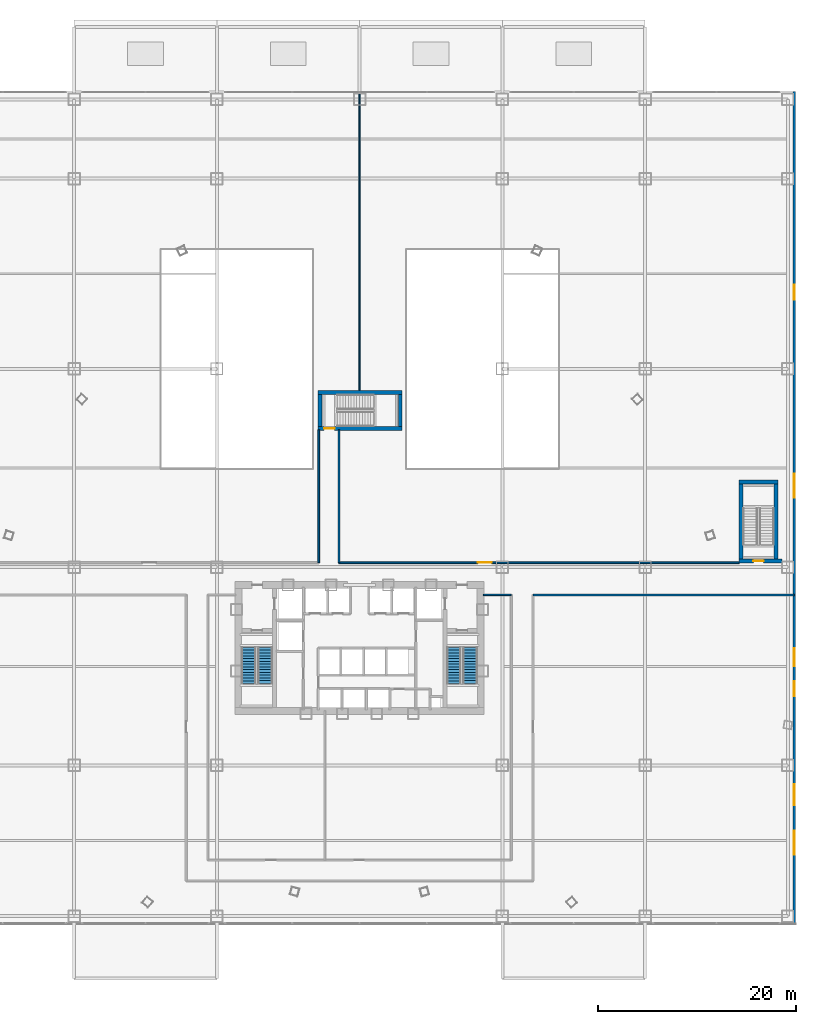
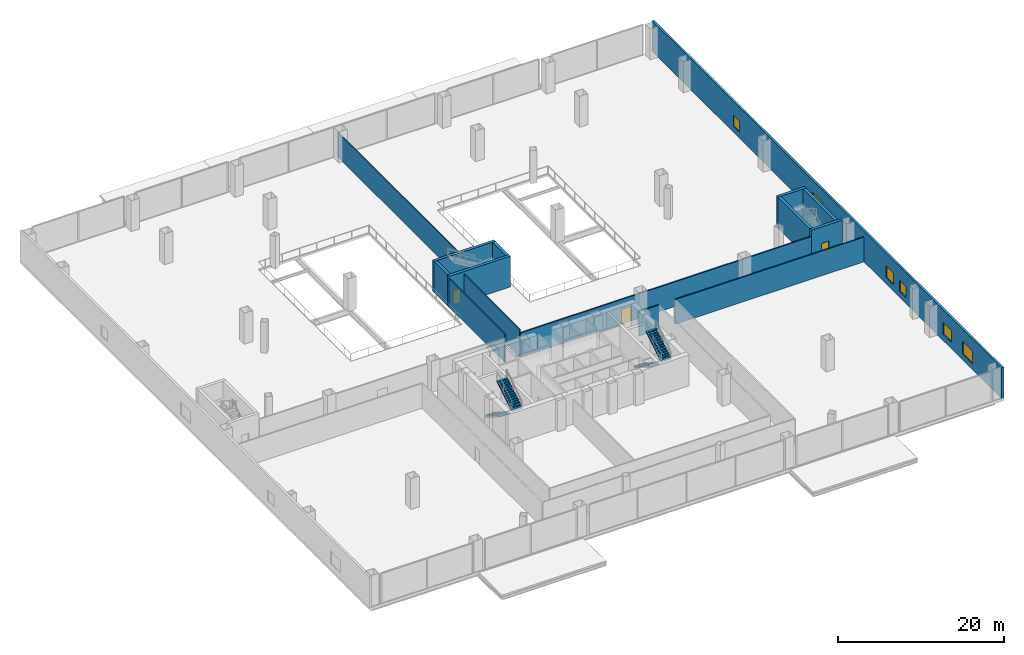
# One storey, part 35 of 42: 15 walls, 6 windows, 4 stair flights, 3 doors, 9 openings, 2 elements without a shape of their own.
"""IFC4 building model written with IfcOpenShell, lengths in metres."""

from ifc_helpers import new_model, si_unit, direction, frame, frame_2d, origin, origin_with_axes, place, context, subcontext, project, spatial, polyline, rectangle, outline, extrude, source, transform, mapped, material, layer, layer_set, type_object, element, fill, aggregate, save


model = new_model("IFC4")

# Units and contexts
model_context = context("Model", 3, precision=1e-05, world=origin(), true_north=direction((0.0, 1.0)))
body_context = subcontext(model_context, "Body", "Model", "MODEL_VIEW")
ifc_project = project(units=[si_unit("LENGTHUNIT", "METRE"), si_unit("AREAUNIT", "SQUARE_METRE"), si_unit("VOLUMEUNIT", "CUBIC_METRE"), si_unit("PLANEANGLEUNIT", "RADIAN"), si_unit("MASSUNIT", "GRAM", prefix="KILO"), si_unit("THERMODYNAMICTEMPERATUREUNIT", "KELVIN"), si_unit("POWERUNIT", "WATT")], contexts=[model_context])

# Site, building, storey
site_placement = place(None, origin())
site = spatial("IfcSite", under=ifc_project, at=site_placement, CompositionType="ELEMENT")
building_placement = place(site_placement, origin())
building = spatial("IfcBuilding", under=site, at=building_placement, Name="Yunzhuo Pagoda Commons", CompositionType="ELEMENT")
storey_placement = place(building_placement, frame((0.0, 0.0, 4.800048828125)))
storey = spatial("IfcBuildingStorey", under=building, at=storey_placement, Name="L02", CompositionType="ELEMENT", Elevation=4.800048828125)

# Walls
ifc_material_1 = material(Name="Gypsum plasterboard on acoustic stud")
ifc_layer_1 = layer(ifc_material_1, 0.159912109375)
ifc_layer_set_1 = layer_set([ifc_layer_1], Name="Gypsum plasterboard on acoustic stud")
wall_type_1 = type_object("IfcWallType", Name="W-COR1 Tower Rated Corridor Wall 160", PredefinedType="PARTITIONING", material=ifc_layer_set_1)
for number, where, z_axis, x_axis, name in (
    (1, (43.8798828125, 42.449951171875, 0.0), (0.0, 0.0, 1.0), (0.0, 1.0, 0.0), "L02 interior wall IW-L02-SPNW"),
    (2, (45.919921875, 42.449951171875, 0.0), (0.0, 0.0, 1.0), (0.0, 1.0, 0.0), "L02 interior wall IW-L02-SPNE"),
):
    element("IfcWall", number, at=place(storey_placement, frame(where, z_axis=z_axis, x_axis=x_axis)), inside=storey, type_object=wall_type_1, Name=name, PredefinedType="PARTITIONING", context=body_context, shape_type="SweptSolid", body=[
        extrude(rectangle(XDim=13.400146484375, YDim=0.159912109375, at=frame_2d((6.7001953125, 0.0))), origin(), (0.0, 0.0, 1.0), 4.119873046875),
    ])
wall_1_placement = place(storey_placement, frame((60.5, 39.199951171875, 0.0), z_axis=(0.0, 0.0, 1.0), x_axis=(1.0, 0.0, 0.0)))
element("IfcWall", 3, at=wall_1_placement, inside=storey, type_object=wall_type_1, Name="L02 interior wall IW-L02-PSMNE", PredefinedType="PARTITIONING", context=body_context, shape_type="SweptSolid", body=[
    extrude(rectangle(XDim=2.800048828125, YDim=0.159912109375, at=frame_2d((1.39990234375, 0.0))), origin(), (0.0, 0.0, 1.0), 3.619873046875),
])

# Wall, openings, windows
ifc_material_2 = material(Name="Precast concrete C40", Category="concrete")
ifc_layer_2 = layer(ifc_material_2, 0.300048828125)
ifc_layer_set_2 = layer_set([ifc_layer_2], Name="Precast concrete C40")
wall_type_2 = type_object("IfcWallType", Name="W-EXT1 Podium Precast Spandrel Wall 300", PredefinedType="STANDARD", material=ifc_layer_set_2)
wall_2_placement = place(storey_placement, frame((91.85009765625, 6.0, 0.0), z_axis=(0.0, 0.0, 1.0), x_axis=(0.0, 1.0, 0.0)))
wall_2 = element("IfcWall", 4, at=wall_2_placement, inside=storey, type_object=wall_type_2, Name="L02 E precast spandrel wall", PredefinedType="STANDARD", context=body_context, shape_type="SweptSolid", body=[
    extrude(rectangle(XDim=84.0, YDim=0.300048828125, at=frame_2d((42.0, 0.0))), origin(), (0.0, 0.0, 1.0), 4.52001953125),
])
opening_1_placement = place(wall_2_placement, frame((7.0, 0.0, 0.89990234375)))
opening_1 = element("IfcOpeningElement", 5, at=opening_1_placement, cuts=wall_2, Name="Opening W-01", PredefinedType="OPENING", context=body_context, shape_type="SweptSolid", body=[
    extrude(rectangle(XDim=2.39990234375, YDim=1.800048828125, at=frame_2d((1.199951171875, 0.89990234375))), frame((0.0, 0.16015625, 0.0), z_axis=(0.0, -1.0, 0.0), x_axis=(1.0, 0.0, 0.0)), (0.0, 0.0, 1.0), 0.320068359375),
])
opening_2_placement = place(wall_2_placement, frame((23.0, 0.0, 0.89990234375)))
opening_2 = element("IfcOpeningElement", 6, at=opening_2_placement, cuts=wall_2, Name="Opening W-02", PredefinedType="OPENING", context=body_context, shape_type="SweptSolid", body=[
    extrude(rectangle(XDim=1.5, YDim=1.60009765625, at=frame_2d((0.75, 0.800048828125))), frame((0.0, 0.16015625, 0.0), z_axis=(0.0, -1.0, 0.0), x_axis=(1.0, 0.0, 0.0)), (0.0, 0.0, 1.0), 0.320068359375),
])
opening_3_placement = place(wall_2_placement, frame((43.0, 0.0, 0.89990234375)))
opening_3 = element("IfcOpeningElement", 7, at=opening_3_placement, cuts=wall_2, Name="Opening W-01", PredefinedType="OPENING", context=body_context, shape_type="SweptSolid", body=[
    extrude(rectangle(XDim=2.39990234375, YDim=1.800048828125, at=frame_2d((1.199951171875, 0.89990234375))), frame((0.0, 0.16015625, 0.0), z_axis=(0.0, -1.0, 0.0), x_axis=(1.0, 0.0, 0.0)), (0.0, 0.0, 1.0), 0.320068359375),
])
opening_4_placement = place(wall_2_placement, frame((63.0, 0.0, 0.89990234375)))
opening_4 = element("IfcOpeningElement", 8, at=opening_4_placement, cuts=wall_2, Name="Opening W-02", PredefinedType="OPENING", context=body_context, shape_type="SweptSolid", body=[
    extrude(rectangle(XDim=1.5, YDim=1.60009765625, at=frame_2d((0.75, 0.800048828125))), frame((0.0, 0.16015625, 0.0), z_axis=(0.0, -1.0, 0.0), x_axis=(1.0, 0.0, 0.0)), (0.0, 0.0, 1.0), 0.320068359375),
])
opening_5_placement = place(wall_2_placement, frame((12.0, 0.0, 0.949951171875)))
opening_5 = element("IfcOpeningElement", 9, at=opening_5_placement, cuts=wall_2, Name="Opening W-03", PredefinedType="OPENING", context=body_context, shape_type="SweptSolid", body=[
    extrude(rectangle(XDim=2.10009765625, YDim=1.75, at=frame_2d((1.050048828125, 0.875))), frame((0.0, 0.16015625, 0.0), z_axis=(0.0, -1.0, 0.0), x_axis=(1.0, 0.0, 0.0)), (0.0, 0.0, 1.0), 0.320068359375),
])
opening_6_placement = place(wall_2_placement, frame((26.0, 0.0, 0.949951171875)))
opening_6 = element("IfcOpeningElement", 10, at=opening_6_placement, cuts=wall_2, Name="Opening W-04", PredefinedType="OPENING", context=body_context, shape_type="SweptSolid", body=[
    extrude(rectangle(XDim=1.800048828125, YDim=1.699951171875, at=frame_2d((0.89990234375, 0.85009765625))), frame((0.0, 0.16015625, 0.0), z_axis=(0.0, -1.0, 0.0), x_axis=(1.0, 0.0, 0.0)), (0.0, 0.0, 1.0), 0.320068359375),
])
ifc_material_3 = material(Name="Tempered low-e double glazing", Category="glass")
window_type_1 = type_object("IfcWindowType", Name="W-01 Podium Fixed Ribbon Window 2400x1800", PartitioningType="DOUBLE_PANEL_VERTICAL", PredefinedType="WINDOW", material=ifc_material_3)
shared_shape_1 = source(origin(), body_context, "Body", "SweptSolid", [
    extrude(rectangle(XDim=2.39990234375, YDim=1.800048828125, at=frame_2d((1.199951171875, 0.89990234375))), frame((0.0, 0.030029296875, 0.0), z_axis=(0.0, -1.0, 0.0), x_axis=(1.0, 0.0, 0.0)), (0.0, 0.0, 1.0), 0.06005859375),
])
window_1_placement = place(opening_1_placement, origin_with_axes())
window_1 = element("IfcWindow", 11, at=window_1_placement, inside=storey, type_object=window_type_1, Name="L02 E window 1", OverallHeight=1.800048828125, OverallWidth=2.39990234375, PartitioningType="SINGLE_PANEL", PredefinedType="WINDOW", context=body_context, shape_type="MappedRepresentation", body=[
    mapped(shared_shape_1, transform((0.0, 0.0, 0.0), scale=1.0)),
])
fill(opening_1, window_1)
window_2_placement = place(opening_3_placement, origin_with_axes())
window_2 = element("IfcWindow", 12, at=window_2_placement, inside=storey, type_object=window_type_1, Name="L02 E window 3", OverallHeight=1.800048828125, OverallWidth=2.39990234375, PartitioningType="SINGLE_PANEL", PredefinedType="WINDOW", context=body_context, shape_type="MappedRepresentation", body=[
    mapped(shared_shape_1, transform((0.0, 0.0, 0.0), scale=1.0)),
])
fill(opening_3, window_2)
window_type_2 = type_object("IfcWindowType", Name="W-02 Podium Casement Window 1500x1600", PartitioningType="SINGLE_PANEL", PredefinedType="WINDOW", material=ifc_material_3)
shared_shape_2 = source(origin(), body_context, "Body", "SweptSolid", [
    extrude(rectangle(XDim=1.5, YDim=1.60009765625, at=frame_2d((0.75, 0.800048828125))), frame((0.0, 0.030029296875, 0.0), z_axis=(0.0, -1.0, 0.0), x_axis=(1.0, 0.0, 0.0)), (0.0, 0.0, 1.0), 0.06005859375),
])
window_3_placement = place(opening_2_placement, origin_with_axes())
window_3 = element("IfcWindow", 13, at=window_3_placement, inside=storey, type_object=window_type_2, Name="L02 E window 2", OverallHeight=1.60009765625, OverallWidth=1.5, PartitioningType="SINGLE_PANEL", PredefinedType="WINDOW", context=body_context, shape_type="MappedRepresentation", body=[
    mapped(shared_shape_2, transform((0.0, 0.0, 0.0), scale=1.0)),
])
fill(opening_2, window_3)
window_4_placement = place(opening_4_placement, origin_with_axes())
window_4 = element("IfcWindow", 14, at=window_4_placement, inside=storey, type_object=window_type_2, Name="L02 E window 4", OverallHeight=1.60009765625, OverallWidth=1.5, PartitioningType="SINGLE_PANEL", PredefinedType="WINDOW", context=body_context, shape_type="MappedRepresentation", body=[
    mapped(shared_shape_2, transform((0.0, 0.0, 0.0), scale=1.0)),
])
fill(opening_4, window_4)
window_type_3 = type_object("IfcWindowType", Name="W-03 Podium Acoustic Window 2100x1750", PartitioningType="SINGLE_PANEL", PredefinedType="WINDOW", material=ifc_material_3)
shared_shape_3 = source(origin(), body_context, "Body", "SweptSolid", [
    extrude(rectangle(XDim=2.10009765625, YDim=1.75, at=frame_2d((1.050048828125, 0.875))), frame((0.0, 0.030029296875, 0.0), z_axis=(0.0, -1.0, 0.0), x_axis=(1.0, 0.0, 0.0)), (0.0, 0.0, 1.0), 0.06005859375),
])
window_5_placement = place(opening_5_placement, origin_with_axes())
window_5 = element("IfcWindow", 15, at=window_5_placement, inside=storey, type_object=window_type_3, Name="L02 east acoustic window 1", OverallHeight=1.75, OverallWidth=2.10009765625, PartitioningType="SINGLE_PANEL", PredefinedType="WINDOW", context=body_context, shape_type="MappedRepresentation", body=[
    mapped(shared_shape_3, transform((0.0, 0.0, 0.0), scale=1.0)),
])
fill(opening_5, window_5)
window_type_4 = type_object("IfcWindowType", Name="W-04 Podium Acoustic Window 1800x1700", PartitioningType="SINGLE_PANEL", PredefinedType="WINDOW", material=ifc_material_3)
shared_shape_4 = source(origin(), body_context, "Body", "SweptSolid", [
    extrude(rectangle(XDim=1.800048828125, YDim=1.699951171875, at=frame_2d((0.89990234375, 0.85009765625))), frame((0.0, 0.030029296875, 0.0), z_axis=(0.0, -1.0, 0.0), x_axis=(1.0, 0.0, 0.0)), (0.0, 0.0, 1.0), 0.06005859375),
])
window_6_placement = place(opening_6_placement, origin_with_axes())
window_6 = element("IfcWindow", 16, at=window_6_placement, inside=storey, type_object=window_type_4, Name="L02 east acoustic window 2", OverallHeight=1.699951171875, OverallWidth=1.800048828125, PartitioningType="SINGLE_PANEL", PredefinedType="WINDOW", context=body_context, shape_type="MappedRepresentation", body=[
    mapped(shared_shape_4, transform((0.0, 0.0, 0.0), scale=1.0)),
])
fill(opening_6, window_6)

# Wall
ifc_layer_3 = layer(ifc_material_1, 0.1201171875)
ifc_layer_set_3 = layer_set([ifc_layer_3], Name="Gypsum plasterboard on acoustic stud")
wall_type_3 = type_object("IfcWallType", Name="W-PRT1 Suite & Bathroom Partition 120", PredefinedType="PARTITIONING", material=ifc_layer_set_3)
wall_3_placement = place(storey_placement, frame((48.0, 59.800048828125, 0.0), z_axis=(0.0, 0.0, 1.0), x_axis=(0.0, 1.0, 0.0)))
element("IfcWall", 17, at=wall_3_placement, inside=storey, type_object=wall_type_3, Name="L02 interior wall IW-L02-SPNN", PredefinedType="PARTITIONING", context=body_context, shape_type="SweptSolid", body=[
    extrude(rectangle(XDim=30.0, YDim=0.1201171875, at=frame_2d((15.0, 0.0))), origin(), (0.0, 0.0, 1.0), 3.619873046875),
])

# Wall, opening, door
ifc_layer_4 = layer(ifc_material_1, 0.179931640625)
ifc_layer_set_4 = layer_set([ifc_layer_4], Name="Gypsum plasterboard on acoustic stud")
wall_type_4 = type_object("IfcWallType", Name="W-PRT2 Acoustic Unit Demising Wall 180", PredefinedType="PARTITIONING", material=ifc_layer_set_4)
wall_4_placement = place(storey_placement, frame((45.919921875, 42.449951171875, 0.0), z_axis=(0.0, 0.0, 1.0), x_axis=(1.0, 0.0, 0.0)))
wall_4 = element("IfcWall", 18, at=wall_4_placement, inside=storey, type_object=wall_type_4, Name="L02 interior wall IW-L02-PNWE", PredefinedType="PARTITIONING", context=body_context, shape_type="SweptSolid", body=[
    extrude(rectangle(XDim=40.380126953125, YDim=0.179931640625, at=frame_2d((20.18994140625, 0.0))), origin(), (0.0, 0.0, 1.0), 3.619873046875),
])
opening_7_placement = place(wall_4_placement, frame((14.0, 0.0, 0.0)))
opening_7 = element("IfcOpeningElement", 19, at=opening_7_placement, cuts=wall_4, Name="Opening D-10", PredefinedType="OPENING", context=body_context, shape_type="SweptSolid", body=[
    extrude(rectangle(XDim=1.39990234375, YDim=2.14990234375, at=frame_2d((0.699951171875, 1.074951171875))), frame((0.0, 0.10009765625, 0.0), z_axis=(0.0, -1.0, 0.0), x_axis=(1.0, 0.0, 0.0)), (0.0, 0.0, 1.0), 0.199951171875),
])
ifc_material_4 = material(Name="Galvanized fire-resisting metal leaf")
door_type_1 = type_object("IfcDoorType", Name="D-10 Podium Dining & Library Double Leaf Door 1400x2150", OperationType="NOTDEFINED", PredefinedType="DOOR", material=ifc_material_4)
shared_shape_5 = source(origin(), body_context, "Body", "SweptSolid", [
    extrude(rectangle(XDim=1.39990234375, YDim=2.14990234375, at=frame_2d((0.699951171875, 1.074951171875))), frame((0.0, 0.02490234375, 0.0), z_axis=(0.0, -1.0, 0.0), x_axis=(1.0, 0.0, 0.0)), (0.0, 0.0, 1.0), 0.050048828125),
])
door_1_placement = place(opening_7_placement, origin_with_axes())
door_1 = element("IfcDoor", 20, at=door_1_placement, inside=storey, type_object=door_type_1, Name="L02 Campus Co-Working Study Commons door E", OperationType="SINGLE_SWING_LEFT", OverallHeight=2.14990234375, OverallWidth=1.39990234375, PredefinedType="DOOR", context=body_context, shape_type="MappedRepresentation", body=[
    mapped(shared_shape_5, transform((0.0, 0.0, 0.0), scale=1.0)),
])
fill(opening_7, door_1)

# Walls
wall_5_placement = place(storey_placement, frame((65.5, 39.199951171875, 0.0), z_axis=(0.0, 0.0, 1.0), x_axis=(1.0, 0.0, 0.0)))
element("IfcWall", 21, at=wall_5_placement, inside=storey, type_object=wall_type_4, Name="L02 interior wall IW-L02-PEASTN", PredefinedType="PARTITIONING", context=body_context, shape_type="SweptSolid", body=[
    extrude(rectangle(XDim=26.35009765625, YDim=0.179931640625, at=frame_2d((13.175048828125, 0.0))), origin(), (0.0, 0.0, 1.0), 3.619873046875),
])
ifc_material_5 = material(Name="Concrete C60", Category="concrete")
ifc_layer_5 = layer(ifc_material_5, 0.39990234375)
ifc_layer_set_5 = layer_set([ifc_layer_5], Name="Concrete C60")
wall_type_5 = type_object("IfcWallType", Name="W-S01 Internal Core Shear Web 400", PredefinedType="SHEAR", material=ifc_layer_set_5)
wall_6_placement = place(storey_placement, frame((86.300048828125, 50.60009765625, 0.0), z_axis=(0.0, 0.0, 1.0), x_axis=(1.0, 0.0, 0.0)))
element("IfcWall", 22, at=wall_6_placement, inside=storey, type_object=wall_type_5, Name="L02 PS4 structural stair wall N", PredefinedType="SHEAR", context=body_context, shape_type="SweptSolid", body=[
    extrude(rectangle(XDim=3.89990234375, YDim=0.39990234375, at=frame_2d((1.949951171875, 0.0))), origin(), (0.0, 0.0, 1.0), 4.52001953125),
])

# Wall, opening, door
wall_7_placement = place(storey_placement, frame((86.300048828125, 42.60009765625, 0.0), z_axis=(0.0, 0.0, 1.0), x_axis=(1.0, 0.0, 0.0)))
wall_7 = element("IfcWall", 23, at=wall_7_placement, inside=storey, type_object=wall_type_5, Name="L02 PS4 structural stair wall S", PredefinedType="SHEAR", context=body_context, shape_type="SweptSolid", body=[
    extrude(rectangle(XDim=4.300048828125, YDim=0.39990234375, at=frame_2d((2.14990234375, 0.0))), origin(), (0.0, 0.0, 1.0), 4.52001953125),
])
opening_8_placement = place(wall_7_placement, frame((1.419921875, 0.0, 0.0)))
opening_8 = element("IfcOpeningElement", 24, at=opening_8_placement, cuts=wall_7, Name="Opening D-01", PredefinedType="OPENING", context=body_context, shape_type="SweptSolid", body=[
    extrude(rectangle(XDim=1.050048828125, YDim=2.10009765625, at=frame_2d((0.52490234375, 1.050048828125))), frame((0.0, 0.2099609375, 0.0), z_axis=(0.0, -1.0, 0.0), x_axis=(1.0, 0.0, 0.0)), (0.0, 0.0, 1.0), 0.419921875),
])
door_type_2 = type_object("IfcDoorType", Name="D-01 Smokeproof Stair Fire Door 1050x2100", OperationType="NOTDEFINED", PredefinedType="DOOR", material=ifc_material_4)
shared_shape_6 = source(origin(), body_context, "Body", "SweptSolid", [
    extrude(rectangle(XDim=1.050048828125, YDim=2.10009765625, at=frame_2d((0.52490234375, 1.050048828125))), frame((0.0, 0.02490234375, 0.0), z_axis=(0.0, -1.0, 0.0), x_axis=(1.0, 0.0, 0.0)), (0.0, 0.0, 1.0), 0.050048828125),
])
door_2_placement = place(opening_8_placement, frame((1.050048828125, 0.0, 0.0), z_axis=(0.0, 0.0, 1.0), x_axis=(-1.0, 0.0, 0.0)))
door_2 = element("IfcDoor", 25, at=door_2_placement, inside=storey, type_object=door_type_2, Name="L02 PS4 stair fire door", OperationType="SINGLE_SWING_RIGHT", OverallHeight=2.10009765625, OverallWidth=1.050048828125, PredefinedType="DOOR", context=body_context, shape_type="MappedRepresentation", body=[
    mapped(shared_shape_6, transform((0.0, 0.0, 0.0), scale=1.0)),
])
fill(opening_8, door_2)

# Walls
for number, where, z_axis, x_axis, name in (
    (26, (86.5, 42.800048828125, 0.0), (0.0, 0.0, 1.0), (0.0, 1.0, 0.0), "L02 PS4 structural stair wall W"),
    (27, (90.0, 42.800048828125, 0.0), (0.0, 0.0, 1.0), (0.0, 1.0, 0.0), "L02 PS4 structural stair wall E"),
):
    element("IfcWall", number, at=place(storey_placement, frame(where, z_axis=z_axis, x_axis=x_axis)), inside=storey, type_object=wall_type_5, Name=name, PredefinedType="SHEAR", context=body_context, shape_type="SweptSolid", body=[
        extrude(rectangle(XDim=7.599853515625, YDim=0.39990234375, at=frame_2d((3.7998046875, 0.0))), origin(), (0.0, 0.0, 1.0), 4.52001953125),
    ])
wall_8_placement = place(storey_placement, frame((43.800048828125, 59.60009765625, 0.0), z_axis=(0.0, 0.0, 1.0), x_axis=(1.0, 0.0, 0.0)))
element("IfcWall", 28, at=wall_8_placement, inside=storey, type_object=wall_type_5, Name="L02 ST3 structural stair wall N", PredefinedType="SHEAR", context=body_context, shape_type="SweptSolid", body=[
    extrude(rectangle(XDim=8.5, YDim=0.39990234375, at=frame_2d((4.25, 0.0))), origin(), (0.0, 0.0, 1.0), 4.52001953125),
])

# Wall, opening, door
wall_9_placement = place(storey_placement, frame((43.800048828125, 56.0, 0.0), z_axis=(0.0, 0.0, 1.0), x_axis=(1.0, 0.0, 0.0)))
wall_9 = element("IfcWall", 29, at=wall_9_placement, inside=storey, type_object=wall_type_5, Name="L02 ST3 structural stair wall S", PredefinedType="SHEAR", context=body_context, shape_type="SweptSolid", body=[
    extrude(rectangle(XDim=8.5, YDim=0.39990234375, at=frame_2d((4.25, 0.0))), origin(), (0.0, 0.0, 1.0), 4.52001953125),
])
opening_9_placement = place(wall_9_placement, frame((0.6201171875, 0.0, 0.0)))
opening_9 = element("IfcOpeningElement", 30, at=opening_9_placement, cuts=wall_9, Name="Opening D-01", PredefinedType="OPENING", context=body_context, shape_type="SweptSolid", body=[
    extrude(rectangle(XDim=1.050048828125, YDim=2.10009765625, at=frame_2d((0.52490234375, 1.050048828125))), frame((0.0, 0.2099609375, 0.0), z_axis=(0.0, -1.0, 0.0), x_axis=(1.0, 0.0, 0.0)), (0.0, 0.0, 1.0), 0.419921875),
])
door_3_placement = place(opening_9_placement, frame((1.050048828125, 0.0, 0.0), z_axis=(0.0, 0.0, 1.0), x_axis=(-1.0, 0.0, 0.0)))
door_3 = element("IfcDoor", 31, at=door_3_placement, inside=storey, type_object=door_type_2, Name="L02 Stair ST3 fire door", OperationType="SINGLE_SWING_LEFT", OverallHeight=2.10009765625, OverallWidth=1.050048828125, PredefinedType="DOOR", context=body_context, shape_type="MappedRepresentation", body=[
    mapped(shared_shape_6, transform((0.0, 0.0, 0.0), scale=1.0)),
])
fill(opening_9, door_3)

# Walls
for number, where, z_axis, x_axis, name in (
    (32, (44.0, 56.199951171875, 0.0), (0.0, 0.0, 1.0), (0.0, 1.0, 0.0), "L02 ST3 structural stair wall W"),
    (33, (52.10009765625, 56.199951171875, 0.0), (0.0, 0.0, 1.0), (0.0, 1.0, 0.0), "L02 ST3 structural stair wall E"),
):
    element("IfcWall", number, at=place(storey_placement, frame(where, z_axis=z_axis, x_axis=x_axis)), inside=storey, type_object=wall_type_5, Name=name, PredefinedType="SHEAR", context=body_context, shape_type="SweptSolid", body=[
        extrude(rectangle(XDim=3.199951171875, YDim=0.39990234375, at=frame_2d((1.60009765625, 0.0))), origin(), (0.0, 0.0, 1.0), 4.52001953125),
    ])

# Stair, stair flights
ifc_material_6 = material(Name="Concrete C40", Category="concrete")
stair_type_1 = type_object("IfcStairType", Name="ST-C1 Core Smokeproof Stair ST1", PredefinedType="HALF_TURN_STAIR", material=ifc_material_6)
stair_1_placement = place(storey_placement, origin())
stair_1 = element("IfcStair", 34, at=stair_1_placement, inside=storey, type_object=stair_type_1, Name="L02 Core smokeproof stair ST1", PredefinedType="HALF_TURN_STAIR")
stair_flight_type_1 = type_object("IfcStairFlightType", Name="STF-C1 Core Stair Flight 1450", PredefinedType="STRAIGHT", material=ifc_material_6)
shared_shape_7 = source(origin(), body_context, "Body", "SweptSolid", [
    extrude(outline(polyline([(0.0, -0.14990234375), (0.0, 0.0), (0.0, 0.17138671875), (0.280029296875, 0.17138671875), (0.280029296875, 0.3427734375), (0.56005859375, 0.3427734375), (0.56005859375, 0.514404296875), (0.840087890625, 0.514404296875), (0.840087890625, 0.685791015625), (1.1201171875, 0.685791015625), (1.1201171875, 0.857177734375), (1.39990234375, 0.857177734375), (1.39990234375, 1.028564453125), (1.679931640625, 1.028564453125), (1.679931640625, 1.199951171875), (1.9599609375, 1.199951171875), (1.9599609375, 1.371337890625), (2.239990234375, 1.371337890625), (2.239990234375, 1.54296875), (2.52001953125, 1.54296875), (2.52001953125, 1.71435546875), (2.800048828125, 1.71435546875), (2.800048828125, 1.8857421875), (3.080078125, 1.8857421875), (3.080078125, 2.05712890625), (3.360107421875, 2.05712890625), (3.360107421875, 2.228515625), (3.639892578125, 2.228515625), (3.639892578125, 2.39990234375), (3.639892578125, 2.052734375), (0.287109375, 0.0), (0.050048828125, -0.14990234375), (0.0, -0.14990234375)])), frame((0.0, 0.72509765625, 0.0), z_axis=(0.0, -1.0, 0.0), x_axis=(1.0, 0.0, 0.0)), (0.0, 0.0, 1.0), 1.449951171875),
])
stair_flight_1_placement = place(storey_placement, frame((36.824951171875, 33.89990234375, 0.0), z_axis=(0.0, 0.0, 1.0), x_axis=(0.0, -1.0, 0.0)))
stair_flight_1 = element("IfcStairFlight", 35, at=stair_flight_1_placement, type_object=stair_flight_type_1, Name="ST1 flight 1", NumberOfRisers=14, NumberOfTreads=13, PredefinedType="STRAIGHT", RiserHeight=0.171428571, TreadLength=0.28, context=body_context, shape_type="MappedRepresentation", body=[
    mapped(shared_shape_7, transform((0.0, 0.0, 0.0), scale=1.0)),
])
stair_flight_2_placement = place(storey_placement, frame((38.47509765625, 30.260009765625, 2.39990234375), z_axis=(0.0, 0.0, 1.0), x_axis=(0.0, 1.0, 0.0)))
stair_flight_2 = element("IfcStairFlight", 36, at=stair_flight_2_placement, type_object=stair_flight_type_1, Name="ST1 flight 2", NumberOfRisers=14, NumberOfTreads=13, PredefinedType="STRAIGHT", RiserHeight=0.171428571, TreadLength=0.28, context=body_context, shape_type="MappedRepresentation", body=[
    mapped(shared_shape_7, transform((0.0, 0.0, 0.0), scale=1.0)),
])
aggregate(stair_1, [stair_flight_1, stair_flight_2])

stair_type_2 = type_object("IfcStairType", Name="ST-C2 Core Smokeproof Stair ST2", PredefinedType="HALF_TURN_STAIR", material=ifc_material_6)
stair_2_placement = place(storey_placement, origin())
stair_2 = element("IfcStair", 37, at=stair_2_placement, inside=storey, type_object=stair_type_2, Name="L02 Core smokeproof stair ST2", PredefinedType="HALF_TURN_STAIR")
stair_flight_type_2 = type_object("IfcStairFlightType", Name="STF-C2 Core Stair Flight 1460", PredefinedType="STRAIGHT", material=ifc_material_6)
stair_flight_3_placement = place(storey_placement, frame((57.52490234375, 33.89990234375, 0.0), z_axis=(0.0, 0.0, 1.0), x_axis=(0.0, -1.0, 0.0)))
stair_flight_3 = element("IfcStairFlight", 38, at=stair_flight_3_placement, type_object=stair_flight_type_2, Name="ST2 flight 1", NumberOfRisers=14, NumberOfTreads=13, PredefinedType="STRAIGHT", RiserHeight=0.171428571, TreadLength=0.28, context=body_context, shape_type="MappedRepresentation", body=[
    mapped(shared_shape_7, transform((0.0, 0.0, 0.0), scale=1.0)),
])
stair_flight_4_placement = place(storey_placement, frame((59.175048828125, 30.260009765625, 2.39990234375), z_axis=(0.0, 0.0, 1.0), x_axis=(0.0, 1.0, 0.0)))
stair_flight_4 = element("IfcStairFlight", 39, at=stair_flight_4_placement, type_object=stair_flight_type_2, Name="ST2 flight 2", NumberOfRisers=14, NumberOfTreads=13, PredefinedType="STRAIGHT", RiserHeight=0.171428571, TreadLength=0.28, context=body_context, shape_type="MappedRepresentation", body=[
    mapped(shared_shape_7, transform((0.0, 0.0, 0.0), scale=1.0)),
])
aggregate(stair_2, [stair_flight_3, stair_flight_4])

save(model, "model.ifc")
